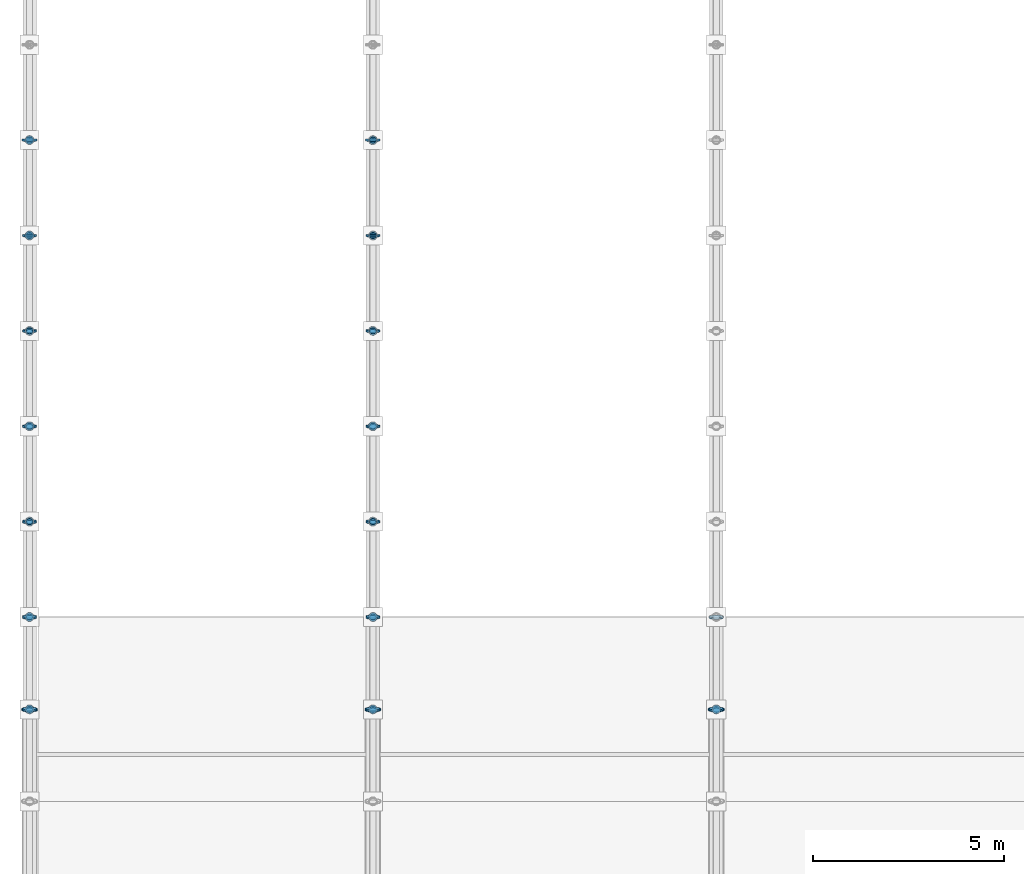
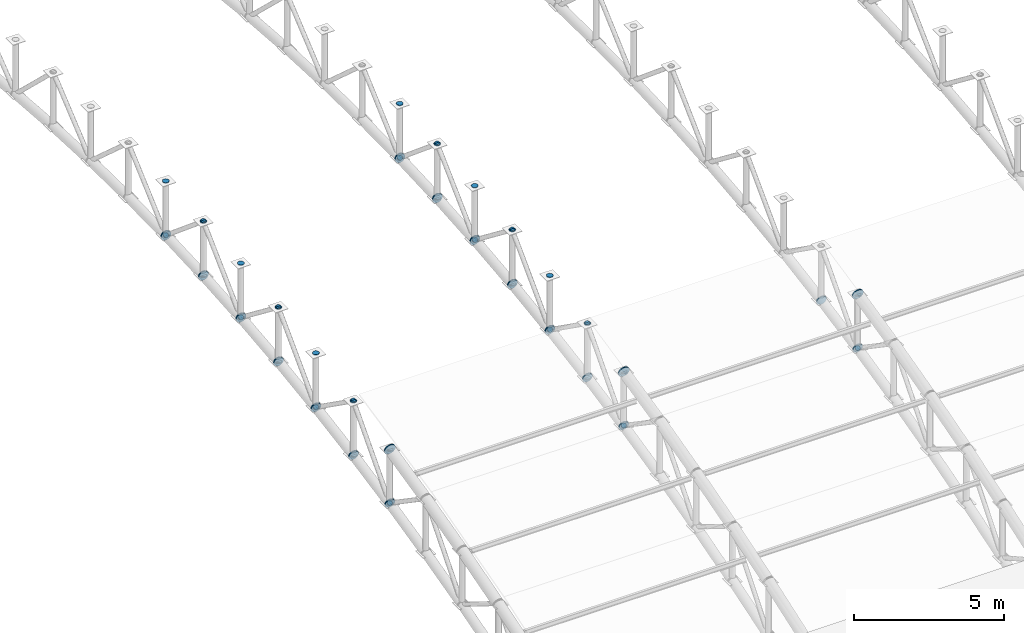
# One storey, part 119 of 195: 94 discrete accessories.
"""IFC4 building model written with IfcOpenShell, lengths in metres."""

from ifc_helpers import new_model, si_unit, direction, frame, origin, origin_2d, place, context, subcontext, project, spatial, circle, extrude, material, element, save


model = new_model("IFC4")

# Units and contexts
model_context = context("Model", 3, precision=1e-05, world=origin(), true_north=direction((0.0, 1.0)))
body_context = subcontext(model_context, "Body", "Model", "MODEL_VIEW")
ifc_project = project(units=[si_unit("LENGTHUNIT", "METRE"), si_unit("AREAUNIT", "SQUARE_METRE"), si_unit("VOLUMEUNIT", "CUBIC_METRE"), si_unit("PLANEANGLEUNIT", "RADIAN"), si_unit("MASSUNIT", "GRAM", prefix="KILO")], contexts=[model_context])

# Site, building, storey
site_placement = place(None, origin())
site = spatial("IfcSite", under=ifc_project, at=site_placement, CompositionType="ELEMENT")
building_placement = place(site_placement, origin())
building = spatial("IfcBuilding", under=site, at=building_placement, Name="Marlcrest Central Station", CompositionType="ELEMENT")
storey_placement = place(building_placement, frame((0.0, 0.0, 9.800048828125)))
storey = spatial("IfcBuildingStorey", under=building, at=storey_placement, Name="L02", CompositionType="ELEMENT", Elevation=9.800048828125)

# Discrete accessories
ifc_material = material(Name="Steel S355", Category="steel")
discrete_accessory_1_placement = place(storey_placement, frame((0.0, 48.5556640625, 5.111328125), z_axis=(0.0, 0.974329612642, 0.225126200004), x_axis=(-1.0, 0.0, 0.0)))
element("IfcDiscreteAccessory", 1, at=discrete_accessory_1_placement, inside=storey, material=ifc_material, Name="endcap-mem-AC-01-L02-00079-e", ObjectType="END_CAP_PLATE", PredefinedType="BRACKET", context=body_context, shape_type="SweptSolid", body=[
    extrude(circle(Radius=0.211181640625, at=origin_2d()), origin(), (0.0, 0.0, 1.0), 0.0400390625),
])
discrete_accessory_2_placement = place(storey_placement, frame((0.0, 48.5556640625, 2.911376953125), z_axis=(0.0, 0.974307959875, 0.225219891049), x_axis=(-1.0, 0.0, 0.0)))
element("IfcDiscreteAccessory", 2, at=discrete_accessory_2_placement, inside=storey, material=ifc_material, Name="endcap-mem-AC-02-L02-00080-e", ObjectType="END_CAP_PLATE", PredefinedType="BRACKET", context=body_context, shape_type="SweptSolid", body=[
    extrude(circle(Radius=0.185791015625, at=origin_2d()), origin(), (0.0, 0.0, 1.0), 0.0400390625),
])
discrete_accessory_3_placement = place(storey_placement, frame((0.0, 48.559326171875, 2.93115234375), z_axis=(0.0, 0.82626275624, -0.563284881432), x_axis=(-1.0, 0.0, 0.0)))
element("IfcDiscreteAccessory", 3, at=discrete_accessory_3_placement, inside=storey, material=ifc_material, Name="endcap-mem-AD-01-L02-00082-e", ObjectType="END_CAP_PLATE", PredefinedType="BRACKET", context=body_context, shape_type="SweptSolid", body=[
    extrude(circle(Radius=0.092041015625, at=origin_2d()), origin(), (0.0, 0.0, 1.0), 0.0400390625),
])
for number, where, z_axis, x_axis, name in (
    (4, (0.0, 48.5654296875, 2.9140625), (0.0, 0.980359417961, 0.197219196874), (-1.0, 0.0, 0.0), "endcap-mem-AC-02-L02-00084-s"),
    (5, (0.0, 50.9755859375, 3.39892578125), (0.0, 0.980359417961, 0.197219196874), (-1.0, 0.0, 0.0), "endcap-mem-AC-02-L02-00084-e"),
):
    element("IfcDiscreteAccessory", number, at=place(storey_placement, frame(where, z_axis=z_axis, x_axis=x_axis)), inside=storey, material=ifc_material, Name=name, ObjectType="END_CAP_PLATE", PredefinedType="BRACKET", context=body_context, shape_type="SweptSolid", body=[
        extrude(circle(Radius=0.185791015625, at=origin_2d()), origin(), (0.0, 0.0, 1.0), 0.0400390625),
    ])
for number, where, z_axis, x_axis, name in (
    (6, (0.0, 48.580078125, 2.902099609375), (0.0, 0.0, 1.0), (1.0, 0.0, 0.0), "endcap-mem-AP-01-L02-00085-s"),
    (7, (0.0, 48.580078125, 5.092041015625), (0.0, 0.0, 1.0), (1.0, 0.0, 0.0), "endcap-mem-AP-01-L02-00085-e"),
):
    element("IfcDiscreteAccessory", number, at=place(storey_placement, frame(where, z_axis=z_axis, x_axis=x_axis)), inside=storey, material=ifc_material, Name=name, ObjectType="END_CAP_PLATE", PredefinedType="BRACKET", context=body_context, shape_type="SweptSolid", body=[
        extrude(circle(Radius=0.117431640625, at=origin_2d()), origin(), (0.0, 0.0, 1.0), 0.0400390625),
    ])
for number, where, z_axis, x_axis, name in (
    (8, (0.0, 48.570068359375, 2.90576171875), (0.0, 0.669244457479, 0.743042297675), (-1.0, 0.0, 0.0), "endcap-mem-AD-01-L02-00086-s"),
    (9, (0.0, 50.983154296875, 5.585205078125), (0.0, 0.669244457479, 0.743042297675), (-1.0, 0.0, 0.0), "endcap-mem-AD-01-L02-00086-e"),
):
    element("IfcDiscreteAccessory", number, at=place(storey_placement, frame(where, z_axis=z_axis, x_axis=x_axis)), inside=storey, material=ifc_material, Name=name, ObjectType="END_CAP_PLATE", PredefinedType="BRACKET", context=body_context, shape_type="SweptSolid", body=[
        extrude(circle(Radius=0.092041015625, at=origin_2d()), origin(), (0.0, 0.0, 1.0), 0.0400390625),
    ])
for number, where, z_axis, x_axis, name in (
    (10, (0.0, 50.985107421875, 3.4013671875), (0.0, 0.98574109921, 0.168269086076), (-1.0, 0.0, 0.0), "endcap-mem-AC-02-L02-00088-s"),
    (11, (0.0, 53.475341796875, 3.826416015625), (0.0, 0.98574109921, 0.168269086076), (-1.0, 0.0, 0.0), "endcap-mem-AC-02-L02-00088-e"),
):
    element("IfcDiscreteAccessory", number, at=place(storey_placement, frame(where, z_axis=z_axis, x_axis=x_axis)), inside=storey, material=ifc_material, Name=name, ObjectType="END_CAP_PLATE", PredefinedType="BRACKET", context=body_context, shape_type="SweptSolid", body=[
        extrude(circle(Radius=0.185791015625, at=origin_2d()), origin(), (0.0, 0.0, 1.0), 0.0400390625),
    ])
for number, where, z_axis, x_axis, name in (
    (12, (0.0, 51.0, 3.388916015625), (0.0, 0.0, 1.0), (1.0, 0.0, 0.0), "endcap-mem-AP-01-L02-00089-s"),
    (13, (0.0, 51.0, 5.578857421875), (0.0, 0.0, 1.0), (1.0, 0.0, 0.0), "endcap-mem-AP-01-L02-00089-e"),
):
    element("IfcDiscreteAccessory", number, at=place(storey_placement, frame(where, z_axis=z_axis, x_axis=x_axis)), inside=storey, material=ifc_material, Name=name, ObjectType="END_CAP_PLATE", PredefinedType="BRACKET", context=body_context, shape_type="SweptSolid", body=[
        extrude(circle(Radius=0.117431640625, at=origin_2d()), origin(), (0.0, 0.0, 1.0), 0.0400390625),
    ])
for number, where, z_axis, x_axis, name in (
    (14, (0.0, 50.98779296875, 5.612548828125), (0.0, 0.815661132754, -0.57852996164), (-1.0, 0.0, 0.0), "endcap-mem-AD-01-L02-00090-s"),
    (15, (0.0, 53.4794921875, 3.844970703125), (0.0, 0.815661132754, -0.57852996164), (-1.0, 0.0, 0.0), "endcap-mem-AD-01-L02-00090-e"),
):
    element("IfcDiscreteAccessory", number, at=place(storey_placement, frame(where, z_axis=z_axis, x_axis=x_axis)), inside=storey, material=ifc_material, Name=name, ObjectType="END_CAP_PLATE", PredefinedType="BRACKET", context=body_context, shape_type="SweptSolid", body=[
        extrude(circle(Radius=0.092041015625, at=origin_2d()), origin(), (0.0, 0.0, 1.0), 0.0400390625),
    ])
for number, where, z_axis, x_axis, name in (
    (16, (0.0, 53.485107421875, 3.82861328125), (0.0, 0.990402740232, 0.138211476152), (-1.0, 0.0, 0.0), "endcap-mem-AC-02-L02-00092-s"),
    (17, (0.0, 55.975341796875, 4.176025390625), (0.0, 0.990402740232, 0.138211476152), (-1.0, 0.0, 0.0), "endcap-mem-AC-02-L02-00092-e"),
):
    element("IfcDiscreteAccessory", number, at=place(storey_placement, frame(where, z_axis=z_axis, x_axis=x_axis)), inside=storey, material=ifc_material, Name=name, ObjectType="END_CAP_PLATE", PredefinedType="BRACKET", context=body_context, shape_type="SweptSolid", body=[
        extrude(circle(Radius=0.185791015625, at=origin_2d()), origin(), (0.0, 0.0, 1.0), 0.0400390625),
    ])
for number, where, z_axis, x_axis, name in (
    (18, (0.0, 53.5, 3.815673828125), (0.0, 0.0, 1.0), (1.0, 0.0, 0.0), "endcap-mem-AP-01-L02-00093-s"),
    (19, (0.0, 53.5, 6.005615234375), (0.0, 0.0, 1.0), (1.0, 0.0, 0.0), "endcap-mem-AP-01-L02-00093-e"),
):
    element("IfcDiscreteAccessory", number, at=place(storey_placement, frame(where, z_axis=z_axis, x_axis=x_axis)), inside=storey, material=ifc_material, Name=name, ObjectType="END_CAP_PLATE", PredefinedType="BRACKET", context=body_context, shape_type="SweptSolid", body=[
        extrude(circle(Radius=0.117431640625, at=origin_2d()), origin(), (0.0, 0.0, 1.0), 0.0400390625),
    ])
for number, where, z_axis, x_axis, name in (
    (20, (0.0, 53.489501953125, 3.81982421875), (0.0, 0.70023547796, 0.713911952139), (-1.0, 0.0, 0.0), "endcap-mem-AD-01-L02-00094-s"),
    (21, (0.0, 55.982421875, 6.361572265625), (0.0, 0.70023547796, 0.713911952139), (-1.0, 0.0, 0.0), "endcap-mem-AD-01-L02-00094-e"),
):
    element("IfcDiscreteAccessory", number, at=place(storey_placement, frame(where, z_axis=z_axis, x_axis=x_axis)), inside=storey, material=ifc_material, Name=name, ObjectType="END_CAP_PLATE", PredefinedType="BRACKET", context=body_context, shape_type="SweptSolid", body=[
        extrude(circle(Radius=0.092041015625, at=origin_2d()), origin(), (0.0, 0.0, 1.0), 0.0400390625),
    ])
for number, where, z_axis, x_axis, name in (
    (22, (0.0, 55.985107421875, 4.177734375), (0.0, 0.994155341034, 0.107959056565), (-1.0, 0.0, 0.0), "endcap-mem-AC-02-L02-00096-s"),
    (23, (0.0, 58.47509765625, 4.4482421875), (0.0, 0.994155341034, 0.107959056565), (-1.0, 0.0, 0.0), "endcap-mem-AC-02-L02-00096-e"),
):
    element("IfcDiscreteAccessory", number, at=place(storey_placement, frame(where, z_axis=z_axis, x_axis=x_axis)), inside=storey, material=ifc_material, Name=name, ObjectType="END_CAP_PLATE", PredefinedType="BRACKET", context=body_context, shape_type="SweptSolid", body=[
        extrude(circle(Radius=0.185791015625, at=origin_2d()), origin(), (0.0, 0.0, 1.0), 0.0400390625),
    ])
for number, where, z_axis, x_axis, name in (
    (24, (0.0, 56.0, 4.16455078125), (0.0, 0.0, 1.0), (1.0, 0.0, 0.0), "endcap-mem-AP-01-L02-00097-s"),
    (25, (0.0, 56.0, 6.3544921875), (0.0, 0.0, 1.0), (1.0, 0.0, 0.0), "endcap-mem-AP-01-L02-00097-e"),
):
    element("IfcDiscreteAccessory", number, at=place(storey_placement, frame(where, z_axis=z_axis, x_axis=x_axis)), inside=storey, material=ifc_material, Name=name, ObjectType="END_CAP_PLATE", PredefinedType="BRACKET", context=body_context, shape_type="SweptSolid", body=[
        extrude(circle(Radius=0.117431640625, at=origin_2d()), origin(), (0.0, 0.0, 1.0), 0.0400390625),
    ])
for number, where, z_axis, x_axis, name in (
    (26, (0.0, 55.988037109375, 6.388671875), (0.0, 0.791798282026, -0.610782678684), (-1.0, 0.0, 0.0), "endcap-mem-AD-01-L02-00098-s"),
    (27, (0.0, 58.480224609375, 4.46630859375), (0.0, 0.791798282026, -0.610782678684), (-1.0, 0.0, 0.0), "endcap-mem-AD-01-L02-00098-e"),
):
    element("IfcDiscreteAccessory", number, at=place(storey_placement, frame(where, z_axis=z_axis, x_axis=x_axis)), inside=storey, material=ifc_material, Name=name, ObjectType="END_CAP_PLATE", PredefinedType="BRACKET", context=body_context, shape_type="SweptSolid", body=[
        extrude(circle(Radius=0.092041015625, at=origin_2d()), origin(), (0.0, 0.0, 1.0), 0.0400390625),
    ])
for number, where, z_axis, x_axis, name in (
    (28, (0.0, 58.485107421875, 4.44970703125), (0.0, 0.997007334767, 0.077307014043), (-1.0, 0.0, 0.0), "endcap-mem-AC-02-L02-00100-s"),
    (29, (0.0, 60.97509765625, 4.642822265625), (0.0, 0.997007334767, 0.077307014043), (-1.0, 0.0, 0.0), "endcap-mem-AC-02-L02-00100-e"),
):
    element("IfcDiscreteAccessory", number, at=place(storey_placement, frame(where, z_axis=z_axis, x_axis=x_axis)), inside=storey, material=ifc_material, Name=name, ObjectType="END_CAP_PLATE", PredefinedType="BRACKET", context=body_context, shape_type="SweptSolid", body=[
        extrude(circle(Radius=0.185791015625, at=origin_2d()), origin(), (0.0, 0.0, 1.0), 0.0400390625),
    ])
for number, where, z_axis, x_axis, name in (
    (30, (0.0, 58.5, 4.43603515625), (0.0, 0.0, 1.0), (1.0, 0.0, 0.0), "endcap-mem-AP-01-L02-00101-s"),
    (31, (0.0, 58.5, 6.6259765625), (0.0, 0.0, 1.0), (1.0, 0.0, 0.0), "endcap-mem-AP-01-L02-00101-e"),
):
    element("IfcDiscreteAccessory", number, at=place(storey_placement, frame(where, z_axis=z_axis, x_axis=x_axis)), inside=storey, material=ifc_material, Name=name, ObjectType="END_CAP_PLATE", PredefinedType="BRACKET", context=body_context, shape_type="SweptSolid", body=[
        extrude(circle(Radius=0.117431640625, at=origin_2d()), origin(), (0.0, 0.0, 1.0), 0.0400390625),
    ])
for number, where, z_axis, x_axis, name in (
    (32, (0.0, 58.4892578125, 4.440673828125), (0.0, 0.722246537655, 0.691635698071), (-1.0, 0.0, 0.0), "endcap-mem-AD-01-L02-00102-s"),
    (33, (0.0, 60.98193359375, 6.82763671875), (0.0, 0.722246537655, 0.691635698071), (-1.0, 0.0, 0.0), "endcap-mem-AD-01-L02-00102-e"),
):
    element("IfcDiscreteAccessory", number, at=place(storey_placement, frame(where, z_axis=z_axis, x_axis=x_axis)), inside=storey, material=ifc_material, Name=name, ObjectType="END_CAP_PLATE", PredefinedType="BRACKET", context=body_context, shape_type="SweptSolid", body=[
        extrude(circle(Radius=0.092041015625, at=origin_2d()), origin(), (0.0, 0.0, 1.0), 0.0400390625),
    ])
for number, where, z_axis, x_axis, name in (
    (34, (0.0, 60.985107421875, 4.64404296875), (0.0, 0.998916819647, 0.046531574509), (-1.0, 0.0, 0.0), "endcap-mem-AC-02-L02-00104-s"),
    (35, (0.0, 63.47509765625, 4.760009765625), (0.0, 0.998916819647, 0.046531574509), (-1.0, 0.0, 0.0), "endcap-mem-AC-02-L02-00104-e"),
):
    element("IfcDiscreteAccessory", number, at=place(storey_placement, frame(where, z_axis=z_axis, x_axis=x_axis)), inside=storey, material=ifc_material, Name=name, ObjectType="END_CAP_PLATE", PredefinedType="BRACKET", context=body_context, shape_type="SweptSolid", body=[
        extrude(circle(Radius=0.185791015625, at=origin_2d()), origin(), (0.0, 0.0, 1.0), 0.0400390625),
    ])
for number, where, z_axis, x_axis, name in (
    (36, (0.0, 61.0, 4.6298828125), (0.0, 0.0, 1.0), (1.0, 0.0, 0.0), "endcap-mem-AP-01-L02-00105-s"),
    (37, (0.0, 61.0, 6.820068359375), (0.0, 0.0, 1.0), (1.0, 0.0, 0.0), "endcap-mem-AP-01-L02-00105-e"),
):
    element("IfcDiscreteAccessory", number, at=place(storey_placement, frame(where, z_axis=z_axis, x_axis=x_axis)), inside=storey, material=ifc_material, Name=name, ObjectType="END_CAP_PLATE", PredefinedType="BRACKET", context=body_context, shape_type="SweptSolid", body=[
        extrude(circle(Radius=0.117431640625, at=origin_2d()), origin(), (0.0, 0.0, 1.0), 0.0400390625),
    ])
for number, where, z_axis, x_axis, name in (
    (38, (0.0, 60.988525390625, 6.8544921875), (0.0, 0.768159787854, -0.640258182552), (-1.0, 0.0, 0.0), "endcap-mem-AD-01-L02-00106-s"),
    (39, (0.0, 63.480712890625, 4.77734375), (0.0, 0.768159787854, -0.640258182552), (-1.0, 0.0, 0.0), "endcap-mem-AD-01-L02-00106-e"),
):
    element("IfcDiscreteAccessory", number, at=place(storey_placement, frame(where, z_axis=z_axis, x_axis=x_axis)), inside=storey, material=ifc_material, Name=name, ObjectType="END_CAP_PLATE", PredefinedType="BRACKET", context=body_context, shape_type="SweptSolid", body=[
        extrude(circle(Radius=0.092041015625, at=origin_2d()), origin(), (0.0, 0.0, 1.0), 0.0400390625),
    ])
discrete_accessory_4_placement = place(storey_placement, frame((0.0, 63.485107421875, 4.760986328125), z_axis=(0.0, 0.999879472592, 0.01552547228), x_axis=(-1.0, 0.0, 0.0)))
element("IfcDiscreteAccessory", 40, at=discrete_accessory_4_placement, inside=storey, material=ifc_material, Name="endcap-mem-AC-02-L02-00108-s", ObjectType="END_CAP_PLATE", PredefinedType="BRACKET", context=body_context, shape_type="SweptSolid", body=[
    extrude(circle(Radius=0.185791015625, at=origin_2d()), origin(), (0.0, 0.0, 1.0), 0.0400390625),
])
for number, where, z_axis, x_axis, name in (
    (41, (0.0, 63.5, 4.746337890625), (0.0, 0.0, 1.0), (1.0, 0.0, 0.0), "endcap-mem-AP-01-L02-00109-s"),
    (42, (0.0, 63.5, 6.936279296875), (0.0, 0.0, 1.0), (1.0, 0.0, 0.0), "endcap-mem-AP-01-L02-00109-e"),
):
    element("IfcDiscreteAccessory", number, at=place(storey_placement, frame(where, z_axis=z_axis, x_axis=x_axis)), inside=storey, material=ifc_material, Name=name, ObjectType="END_CAP_PLATE", PredefinedType="BRACKET", context=body_context, shape_type="SweptSolid", body=[
        extrude(circle(Radius=0.117431640625, at=origin_2d()), origin(), (0.0, 0.0, 1.0), 0.0400390625),
    ])
discrete_accessory_5_placement = place(storey_placement, frame((0.0, 63.48876953125, 4.751220703125), z_axis=(0.0, 0.744955843007, 0.66711377738), x_axis=(-1.0, 0.0, 0.0)))
element("IfcDiscreteAccessory", 43, at=discrete_accessory_5_placement, inside=storey, material=ifc_material, Name="endcap-mem-AD-01-L02-00110-s", ObjectType="END_CAP_PLATE", PredefinedType="BRACKET", context=body_context, shape_type="SweptSolid", body=[
    extrude(circle(Radius=0.092041015625, at=origin_2d()), origin(), (0.0, 0.0, 1.0), 0.0400390625),
])
discrete_accessory_6_placement = place(storey_placement, frame((9.0, 48.5556640625, 5.111328125), z_axis=(0.0, 0.974329612642, 0.225126200004), x_axis=(-1.0, 0.0, 0.0)))
element("IfcDiscreteAccessory", 44, at=discrete_accessory_6_placement, inside=storey, material=ifc_material, Name="endcap-mem-AC-01-L02-00195-e", ObjectType="END_CAP_PLATE", PredefinedType="BRACKET", context=body_context, shape_type="SweptSolid", body=[
    extrude(circle(Radius=0.211181640625, at=origin_2d()), origin(), (0.0, 0.0, 1.0), 0.0400390625),
])
discrete_accessory_7_placement = place(storey_placement, frame((9.0, 48.5556640625, 2.911376953125), z_axis=(0.0, 0.974307959875, 0.225219891049), x_axis=(-1.0, 0.0, 0.0)))
element("IfcDiscreteAccessory", 45, at=discrete_accessory_7_placement, inside=storey, material=ifc_material, Name="endcap-mem-AC-02-L02-00196-e", ObjectType="END_CAP_PLATE", PredefinedType="BRACKET", context=body_context, shape_type="SweptSolid", body=[
    extrude(circle(Radius=0.185791015625, at=origin_2d()), origin(), (0.0, 0.0, 1.0), 0.0400390625),
])
discrete_accessory_8_placement = place(storey_placement, frame((9.0, 48.559326171875, 2.93115234375), z_axis=(0.0, 0.82626275624, -0.563284881432), x_axis=(-1.0, 0.0, 0.0)))
element("IfcDiscreteAccessory", 46, at=discrete_accessory_8_placement, inside=storey, material=ifc_material, Name="endcap-mem-AD-01-L02-00198-e", ObjectType="END_CAP_PLATE", PredefinedType="BRACKET", context=body_context, shape_type="SweptSolid", body=[
    extrude(circle(Radius=0.092041015625, at=origin_2d()), origin(), (0.0, 0.0, 1.0), 0.0400390625),
])
for number, where, z_axis, x_axis, name in (
    (47, (9.0, 48.5654296875, 2.9140625), (0.0, 0.980359417961, 0.197219196874), (-1.0, 0.0, 0.0), "endcap-mem-AC-02-L02-00200-s"),
    (48, (9.0, 50.9755859375, 3.39892578125), (0.0, 0.980359417961, 0.197219196874), (-1.0, 0.0, 0.0), "endcap-mem-AC-02-L02-00200-e"),
):
    element("IfcDiscreteAccessory", number, at=place(storey_placement, frame(where, z_axis=z_axis, x_axis=x_axis)), inside=storey, material=ifc_material, Name=name, ObjectType="END_CAP_PLATE", PredefinedType="BRACKET", context=body_context, shape_type="SweptSolid", body=[
        extrude(circle(Radius=0.185791015625, at=origin_2d()), origin(), (0.0, 0.0, 1.0), 0.0400390625),
    ])
for number, where, z_axis, x_axis, name in (
    (49, (9.0, 48.580078125, 2.902099609375), (0.0, 0.0, 1.0), (1.0, 0.0, 0.0), "endcap-mem-AP-01-L02-00201-s"),
    (50, (9.0, 48.580078125, 5.092041015625), (0.0, 0.0, 1.0), (1.0, 0.0, 0.0), "endcap-mem-AP-01-L02-00201-e"),
):
    element("IfcDiscreteAccessory", number, at=place(storey_placement, frame(where, z_axis=z_axis, x_axis=x_axis)), inside=storey, material=ifc_material, Name=name, ObjectType="END_CAP_PLATE", PredefinedType="BRACKET", context=body_context, shape_type="SweptSolid", body=[
        extrude(circle(Radius=0.117431640625, at=origin_2d()), origin(), (0.0, 0.0, 1.0), 0.0400390625),
    ])
for number, where, z_axis, x_axis, name in (
    (51, (9.0, 48.570068359375, 2.90576171875), (0.0, 0.669244457479, 0.743042297675), (-1.0, 0.0, 0.0), "endcap-mem-AD-01-L02-00202-s"),
    (52, (9.0, 50.983154296875, 5.585205078125), (0.0, 0.669244457479, 0.743042297675), (-1.0, 0.0, 0.0), "endcap-mem-AD-01-L02-00202-e"),
):
    element("IfcDiscreteAccessory", number, at=place(storey_placement, frame(where, z_axis=z_axis, x_axis=x_axis)), inside=storey, material=ifc_material, Name=name, ObjectType="END_CAP_PLATE", PredefinedType="BRACKET", context=body_context, shape_type="SweptSolid", body=[
        extrude(circle(Radius=0.092041015625, at=origin_2d()), origin(), (0.0, 0.0, 1.0), 0.0400390625),
    ])
for number, where, z_axis, x_axis, name in (
    (53, (9.0, 50.985107421875, 3.4013671875), (0.0, 0.98574109921, 0.168269086076), (-1.0, 0.0, 0.0), "endcap-mem-AC-02-L02-00204-s"),
    (54, (9.0, 53.475341796875, 3.826416015625), (0.0, 0.98574109921, 0.168269086076), (-1.0, 0.0, 0.0), "endcap-mem-AC-02-L02-00204-e"),
):
    element("IfcDiscreteAccessory", number, at=place(storey_placement, frame(where, z_axis=z_axis, x_axis=x_axis)), inside=storey, material=ifc_material, Name=name, ObjectType="END_CAP_PLATE", PredefinedType="BRACKET", context=body_context, shape_type="SweptSolid", body=[
        extrude(circle(Radius=0.185791015625, at=origin_2d()), origin(), (0.0, 0.0, 1.0), 0.0400390625),
    ])
for number, where, z_axis, x_axis, name in (
    (55, (9.0, 51.0, 3.388916015625), (0.0, 0.0, 1.0), (1.0, 0.0, 0.0), "endcap-mem-AP-01-L02-00205-s"),
    (56, (9.0, 51.0, 5.578857421875), (0.0, 0.0, 1.0), (1.0, 0.0, 0.0), "endcap-mem-AP-01-L02-00205-e"),
):
    element("IfcDiscreteAccessory", number, at=place(storey_placement, frame(where, z_axis=z_axis, x_axis=x_axis)), inside=storey, material=ifc_material, Name=name, ObjectType="END_CAP_PLATE", PredefinedType="BRACKET", context=body_context, shape_type="SweptSolid", body=[
        extrude(circle(Radius=0.117431640625, at=origin_2d()), origin(), (0.0, 0.0, 1.0), 0.0400390625),
    ])
for number, where, z_axis, x_axis, name in (
    (57, (9.0, 50.98779296875, 5.612548828125), (0.0, 0.815661132754, -0.57852996164), (-1.0, 0.0, 0.0), "endcap-mem-AD-01-L02-00206-s"),
    (58, (9.0, 53.4794921875, 3.844970703125), (0.0, 0.815661132754, -0.57852996164), (-1.0, 0.0, 0.0), "endcap-mem-AD-01-L02-00206-e"),
):
    element("IfcDiscreteAccessory", number, at=place(storey_placement, frame(where, z_axis=z_axis, x_axis=x_axis)), inside=storey, material=ifc_material, Name=name, ObjectType="END_CAP_PLATE", PredefinedType="BRACKET", context=body_context, shape_type="SweptSolid", body=[
        extrude(circle(Radius=0.092041015625, at=origin_2d()), origin(), (0.0, 0.0, 1.0), 0.0400390625),
    ])
for number, where, z_axis, x_axis, name in (
    (59, (9.0, 53.485107421875, 3.82861328125), (0.0, 0.990402740232, 0.138211476152), (-1.0, 0.0, 0.0), "endcap-mem-AC-02-L02-00208-s"),
    (60, (9.0, 55.975341796875, 4.176025390625), (0.0, 0.990402740232, 0.138211476152), (-1.0, 0.0, 0.0), "endcap-mem-AC-02-L02-00208-e"),
):
    element("IfcDiscreteAccessory", number, at=place(storey_placement, frame(where, z_axis=z_axis, x_axis=x_axis)), inside=storey, material=ifc_material, Name=name, ObjectType="END_CAP_PLATE", PredefinedType="BRACKET", context=body_context, shape_type="SweptSolid", body=[
        extrude(circle(Radius=0.185791015625, at=origin_2d()), origin(), (0.0, 0.0, 1.0), 0.0400390625),
    ])
for number, where, z_axis, x_axis, name in (
    (61, (9.0, 53.5, 3.815673828125), (0.0, 0.0, 1.0), (1.0, 0.0, 0.0), "endcap-mem-AP-01-L02-00209-s"),
    (62, (9.0, 53.5, 6.005615234375), (0.0, 0.0, 1.0), (1.0, 0.0, 0.0), "endcap-mem-AP-01-L02-00209-e"),
):
    element("IfcDiscreteAccessory", number, at=place(storey_placement, frame(where, z_axis=z_axis, x_axis=x_axis)), inside=storey, material=ifc_material, Name=name, ObjectType="END_CAP_PLATE", PredefinedType="BRACKET", context=body_context, shape_type="SweptSolid", body=[
        extrude(circle(Radius=0.117431640625, at=origin_2d()), origin(), (0.0, 0.0, 1.0), 0.0400390625),
    ])
for number, where, z_axis, x_axis, name in (
    (63, (9.0, 53.489501953125, 3.81982421875), (0.0, 0.70023547796, 0.713911952139), (-1.0, 0.0, 0.0), "endcap-mem-AD-01-L02-00210-s"),
    (64, (9.0, 55.982421875, 6.361572265625), (0.0, 0.70023547796, 0.713911952139), (-1.0, 0.0, 0.0), "endcap-mem-AD-01-L02-00210-e"),
):
    element("IfcDiscreteAccessory", number, at=place(storey_placement, frame(where, z_axis=z_axis, x_axis=x_axis)), inside=storey, material=ifc_material, Name=name, ObjectType="END_CAP_PLATE", PredefinedType="BRACKET", context=body_context, shape_type="SweptSolid", body=[
        extrude(circle(Radius=0.092041015625, at=origin_2d()), origin(), (0.0, 0.0, 1.0), 0.0400390625),
    ])
for number, where, z_axis, x_axis, name in (
    (65, (9.0, 55.985107421875, 4.177734375), (0.0, 0.994155341034, 0.107959056565), (-1.0, 0.0, 0.0), "endcap-mem-AC-02-L02-00212-s"),
    (66, (9.0, 58.47509765625, 4.4482421875), (0.0, 0.994155341034, 0.107959056565), (-1.0, 0.0, 0.0), "endcap-mem-AC-02-L02-00212-e"),
):
    element("IfcDiscreteAccessory", number, at=place(storey_placement, frame(where, z_axis=z_axis, x_axis=x_axis)), inside=storey, material=ifc_material, Name=name, ObjectType="END_CAP_PLATE", PredefinedType="BRACKET", context=body_context, shape_type="SweptSolid", body=[
        extrude(circle(Radius=0.185791015625, at=origin_2d()), origin(), (0.0, 0.0, 1.0), 0.0400390625),
    ])
for number, where, z_axis, x_axis, name in (
    (67, (9.0, 56.0, 4.16455078125), (0.0, 0.0, 1.0), (1.0, 0.0, 0.0), "endcap-mem-AP-01-L02-00213-s"),
    (68, (9.0, 56.0, 6.3544921875), (0.0, 0.0, 1.0), (1.0, 0.0, 0.0), "endcap-mem-AP-01-L02-00213-e"),
):
    element("IfcDiscreteAccessory", number, at=place(storey_placement, frame(where, z_axis=z_axis, x_axis=x_axis)), inside=storey, material=ifc_material, Name=name, ObjectType="END_CAP_PLATE", PredefinedType="BRACKET", context=body_context, shape_type="SweptSolid", body=[
        extrude(circle(Radius=0.117431640625, at=origin_2d()), origin(), (0.0, 0.0, 1.0), 0.0400390625),
    ])
for number, where, z_axis, x_axis, name in (
    (69, (9.0, 55.988037109375, 6.388671875), (0.0, 0.791798282026, -0.610782678684), (-1.0, 0.0, 0.0), "endcap-mem-AD-01-L02-00214-s"),
    (70, (9.0, 58.480224609375, 4.46630859375), (0.0, 0.791798282026, -0.610782678684), (-1.0, 0.0, 0.0), "endcap-mem-AD-01-L02-00214-e"),
):
    element("IfcDiscreteAccessory", number, at=place(storey_placement, frame(where, z_axis=z_axis, x_axis=x_axis)), inside=storey, material=ifc_material, Name=name, ObjectType="END_CAP_PLATE", PredefinedType="BRACKET", context=body_context, shape_type="SweptSolid", body=[
        extrude(circle(Radius=0.092041015625, at=origin_2d()), origin(), (0.0, 0.0, 1.0), 0.0400390625),
    ])
for number, where, z_axis, x_axis, name in (
    (71, (9.0, 58.485107421875, 4.44970703125), (0.0, 0.997007334767, 0.077307014043), (-1.0, 0.0, 0.0), "endcap-mem-AC-02-L02-00216-s"),
    (72, (9.0, 60.97509765625, 4.642822265625), (0.0, 0.997007334767, 0.077307014043), (-1.0, 0.0, 0.0), "endcap-mem-AC-02-L02-00216-e"),
):
    element("IfcDiscreteAccessory", number, at=place(storey_placement, frame(where, z_axis=z_axis, x_axis=x_axis)), inside=storey, material=ifc_material, Name=name, ObjectType="END_CAP_PLATE", PredefinedType="BRACKET", context=body_context, shape_type="SweptSolid", body=[
        extrude(circle(Radius=0.185791015625, at=origin_2d()), origin(), (0.0, 0.0, 1.0), 0.0400390625),
    ])
for number, where, z_axis, x_axis, name in (
    (73, (9.0, 58.5, 4.43603515625), (0.0, 0.0, 1.0), (1.0, 0.0, 0.0), "endcap-mem-AP-01-L02-00217-s"),
    (74, (9.0, 58.5, 6.6259765625), (0.0, 0.0, 1.0), (1.0, 0.0, 0.0), "endcap-mem-AP-01-L02-00217-e"),
):
    element("IfcDiscreteAccessory", number, at=place(storey_placement, frame(where, z_axis=z_axis, x_axis=x_axis)), inside=storey, material=ifc_material, Name=name, ObjectType="END_CAP_PLATE", PredefinedType="BRACKET", context=body_context, shape_type="SweptSolid", body=[
        extrude(circle(Radius=0.117431640625, at=origin_2d()), origin(), (0.0, 0.0, 1.0), 0.0400390625),
    ])
for number, where, z_axis, x_axis, name in (
    (75, (9.0, 58.4892578125, 4.440673828125), (0.0, 0.722246537655, 0.691635698071), (-1.0, 0.0, 0.0), "endcap-mem-AD-01-L02-00218-s"),
    (76, (9.0, 60.98193359375, 6.82763671875), (0.0, 0.722246537655, 0.691635698071), (-1.0, 0.0, 0.0), "endcap-mem-AD-01-L02-00218-e"),
):
    element("IfcDiscreteAccessory", number, at=place(storey_placement, frame(where, z_axis=z_axis, x_axis=x_axis)), inside=storey, material=ifc_material, Name=name, ObjectType="END_CAP_PLATE", PredefinedType="BRACKET", context=body_context, shape_type="SweptSolid", body=[
        extrude(circle(Radius=0.092041015625, at=origin_2d()), origin(), (0.0, 0.0, 1.0), 0.0400390625),
    ])
for number, where, z_axis, x_axis, name in (
    (77, (9.0, 60.985107421875, 4.64404296875), (0.0, 0.998916819647, 0.046531574509), (-1.0, 0.0, 0.0), "endcap-mem-AC-02-L02-00220-s"),
    (78, (9.0, 63.47509765625, 4.760009765625), (0.0, 0.998916819647, 0.046531574509), (-1.0, 0.0, 0.0), "endcap-mem-AC-02-L02-00220-e"),
):
    element("IfcDiscreteAccessory", number, at=place(storey_placement, frame(where, z_axis=z_axis, x_axis=x_axis)), inside=storey, material=ifc_material, Name=name, ObjectType="END_CAP_PLATE", PredefinedType="BRACKET", context=body_context, shape_type="SweptSolid", body=[
        extrude(circle(Radius=0.185791015625, at=origin_2d()), origin(), (0.0, 0.0, 1.0), 0.0400390625),
    ])
for number, where, z_axis, x_axis, name in (
    (79, (9.0, 61.0, 4.6298828125), (0.0, 0.0, 1.0), (1.0, 0.0, 0.0), "endcap-mem-AP-01-L02-00221-s"),
    (80, (9.0, 61.0, 6.820068359375), (0.0, 0.0, 1.0), (1.0, 0.0, 0.0), "endcap-mem-AP-01-L02-00221-e"),
):
    element("IfcDiscreteAccessory", number, at=place(storey_placement, frame(where, z_axis=z_axis, x_axis=x_axis)), inside=storey, material=ifc_material, Name=name, ObjectType="END_CAP_PLATE", PredefinedType="BRACKET", context=body_context, shape_type="SweptSolid", body=[
        extrude(circle(Radius=0.117431640625, at=origin_2d()), origin(), (0.0, 0.0, 1.0), 0.0400390625),
    ])
for number, where, z_axis, x_axis, name in (
    (81, (9.0, 60.988525390625, 6.8544921875), (0.0, 0.768159787854, -0.640258182552), (-1.0, 0.0, 0.0), "endcap-mem-AD-01-L02-00222-s"),
    (82, (9.0, 63.480712890625, 4.77734375), (0.0, 0.768159787854, -0.640258182552), (-1.0, 0.0, 0.0), "endcap-mem-AD-01-L02-00222-e"),
):
    element("IfcDiscreteAccessory", number, at=place(storey_placement, frame(where, z_axis=z_axis, x_axis=x_axis)), inside=storey, material=ifc_material, Name=name, ObjectType="END_CAP_PLATE", PredefinedType="BRACKET", context=body_context, shape_type="SweptSolid", body=[
        extrude(circle(Radius=0.092041015625, at=origin_2d()), origin(), (0.0, 0.0, 1.0), 0.0400390625),
    ])
discrete_accessory_9_placement = place(storey_placement, frame((9.0, 63.485107421875, 4.760986328125), z_axis=(0.0, 0.999879472592, 0.01552547228), x_axis=(-1.0, 0.0, 0.0)))
element("IfcDiscreteAccessory", 83, at=discrete_accessory_9_placement, inside=storey, material=ifc_material, Name="endcap-mem-AC-02-L02-00224-s", ObjectType="END_CAP_PLATE", PredefinedType="BRACKET", context=body_context, shape_type="SweptSolid", body=[
    extrude(circle(Radius=0.185791015625, at=origin_2d()), origin(), (0.0, 0.0, 1.0), 0.0400390625),
])
for number, where, z_axis, x_axis, name in (
    (84, (9.0, 63.5, 4.746337890625), (0.0, 0.0, 1.0), (1.0, 0.0, 0.0), "endcap-mem-AP-01-L02-00225-s"),
    (85, (9.0, 63.5, 6.936279296875), (0.0, 0.0, 1.0), (1.0, 0.0, 0.0), "endcap-mem-AP-01-L02-00225-e"),
):
    element("IfcDiscreteAccessory", number, at=place(storey_placement, frame(where, z_axis=z_axis, x_axis=x_axis)), inside=storey, material=ifc_material, Name=name, ObjectType="END_CAP_PLATE", PredefinedType="BRACKET", context=body_context, shape_type="SweptSolid", body=[
        extrude(circle(Radius=0.117431640625, at=origin_2d()), origin(), (0.0, 0.0, 1.0), 0.0400390625),
    ])
discrete_accessory_10_placement = place(storey_placement, frame((9.0, 63.48876953125, 4.751220703125), z_axis=(0.0, 0.744955843007, 0.66711377738), x_axis=(-1.0, 0.0, 0.0)))
element("IfcDiscreteAccessory", 86, at=discrete_accessory_10_placement, inside=storey, material=ifc_material, Name="endcap-mem-AD-01-L02-00226-s", ObjectType="END_CAP_PLATE", PredefinedType="BRACKET", context=body_context, shape_type="SweptSolid", body=[
    extrude(circle(Radius=0.092041015625, at=origin_2d()), origin(), (0.0, 0.0, 1.0), 0.0400390625),
])
discrete_accessory_11_placement = place(storey_placement, frame((18.0, 48.5556640625, 5.111328125), z_axis=(0.0, 0.974329612642, 0.225126200004), x_axis=(-1.0, 0.0, 0.0)))
element("IfcDiscreteAccessory", 87, at=discrete_accessory_11_placement, inside=storey, material=ifc_material, Name="endcap-mem-AC-01-L02-00311-e", ObjectType="END_CAP_PLATE", PredefinedType="BRACKET", context=body_context, shape_type="SweptSolid", body=[
    extrude(circle(Radius=0.211181640625, at=origin_2d()), origin(), (0.0, 0.0, 1.0), 0.0400390625),
])
discrete_accessory_12_placement = place(storey_placement, frame((18.0, 48.5556640625, 2.911376953125), z_axis=(0.0, 0.974307959875, 0.225219891049), x_axis=(-1.0, 0.0, 0.0)))
element("IfcDiscreteAccessory", 88, at=discrete_accessory_12_placement, inside=storey, material=ifc_material, Name="endcap-mem-AC-02-L02-00312-e", ObjectType="END_CAP_PLATE", PredefinedType="BRACKET", context=body_context, shape_type="SweptSolid", body=[
    extrude(circle(Radius=0.185791015625, at=origin_2d()), origin(), (0.0, 0.0, 1.0), 0.0400390625),
])
discrete_accessory_13_placement = place(storey_placement, frame((18.0, 48.559326171875, 2.93115234375), z_axis=(0.0, 0.82626275624, -0.563284881432), x_axis=(-1.0, 0.0, 0.0)))
element("IfcDiscreteAccessory", 89, at=discrete_accessory_13_placement, inside=storey, material=ifc_material, Name="endcap-mem-AD-01-L02-00314-e", ObjectType="END_CAP_PLATE", PredefinedType="BRACKET", context=body_context, shape_type="SweptSolid", body=[
    extrude(circle(Radius=0.092041015625, at=origin_2d()), origin(), (0.0, 0.0, 1.0), 0.0400390625),
])
for number, where, z_axis, x_axis, name in (
    (90, (18.0, 48.5654296875, 2.9140625), (0.0, 0.980359417961, 0.197219196874), (-1.0, 0.0, 0.0), "endcap-mem-AC-02-L02-00316-s"),
    (91, (18.0, 50.9755859375, 3.39892578125), (0.0, 0.980359417961, 0.197219196874), (-1.0, 0.0, 0.0), "endcap-mem-AC-02-L02-00316-e"),
):
    element("IfcDiscreteAccessory", number, at=place(storey_placement, frame(where, z_axis=z_axis, x_axis=x_axis)), inside=storey, material=ifc_material, Name=name, ObjectType="END_CAP_PLATE", PredefinedType="BRACKET", context=body_context, shape_type="SweptSolid", body=[
        extrude(circle(Radius=0.185791015625, at=origin_2d()), origin(), (0.0, 0.0, 1.0), 0.0400390625),
    ])
for number, where, z_axis, x_axis, name in (
    (92, (18.0, 48.580078125, 2.902099609375), (0.0, 0.0, 1.0), (1.0, 0.0, 0.0), "endcap-mem-AP-01-L02-00317-s"),
    (93, (18.0, 48.580078125, 5.092041015625), (0.0, 0.0, 1.0), (1.0, 0.0, 0.0), "endcap-mem-AP-01-L02-00317-e"),
):
    element("IfcDiscreteAccessory", number, at=place(storey_placement, frame(where, z_axis=z_axis, x_axis=x_axis)), inside=storey, material=ifc_material, Name=name, ObjectType="END_CAP_PLATE", PredefinedType="BRACKET", context=body_context, shape_type="SweptSolid", body=[
        extrude(circle(Radius=0.117431640625, at=origin_2d()), origin(), (0.0, 0.0, 1.0), 0.0400390625),
    ])
discrete_accessory_14_placement = place(storey_placement, frame((18.0, 48.570068359375, 2.90576171875), z_axis=(0.0, 0.669244457479, 0.743042297675), x_axis=(-1.0, 0.0, 0.0)))
element("IfcDiscreteAccessory", 94, at=discrete_accessory_14_placement, inside=storey, material=ifc_material, Name="endcap-mem-AD-01-L02-00318-s", ObjectType="END_CAP_PLATE", PredefinedType="BRACKET", context=body_context, shape_type="SweptSolid", body=[
    extrude(circle(Radius=0.092041015625, at=origin_2d()), origin(), (0.0, 0.0, 1.0), 0.0400390625),
])

save(model, "model.ifc")
